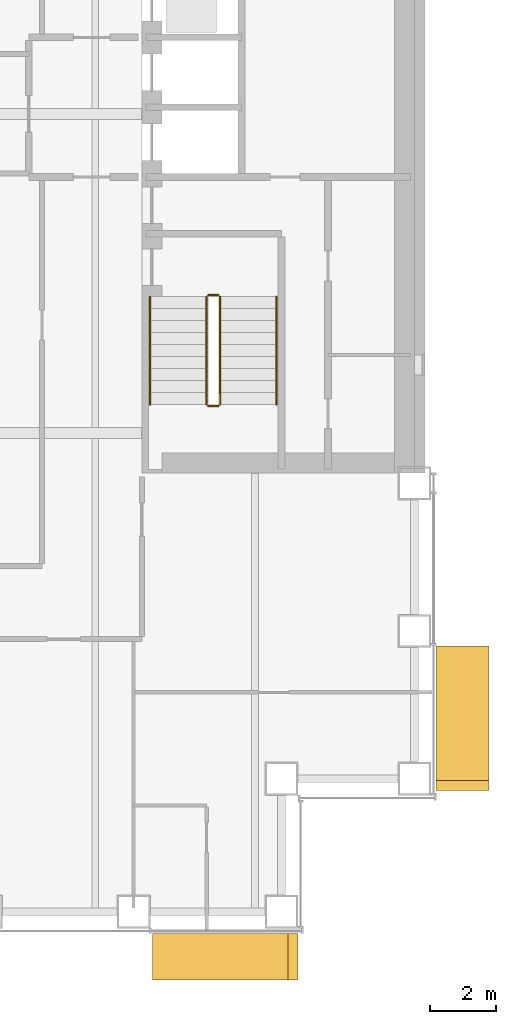
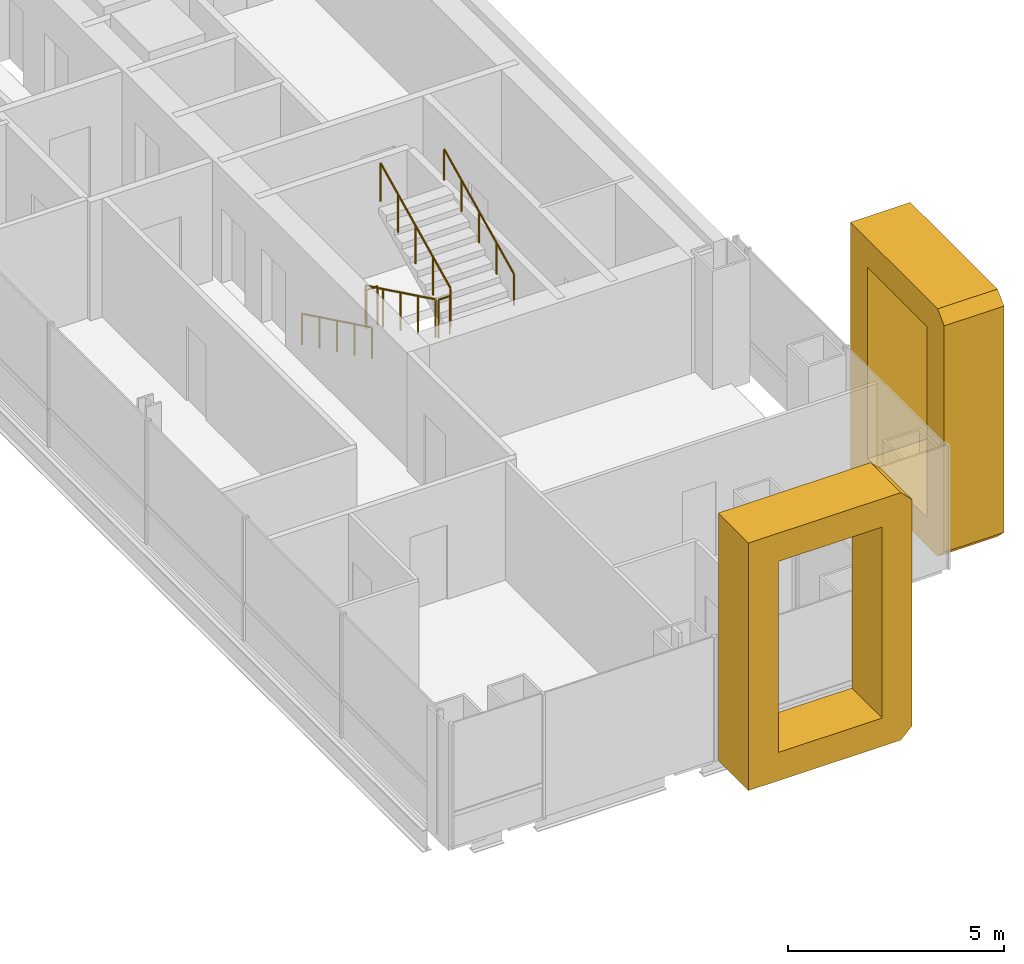
# One storey, part 19 of 21: 6 railings, 2 coverings.
"""IFC4 building model written with IfcOpenShell, lengths in metres."""

from ifc_helpers import new_model, si_unit, direction, frame, origin, origin_2d, place, context, subcontext, project, spatial, polyline, circle, outline, extrude, material, type_object, element, save


model = new_model("IFC4")

# Units and contexts
model_context = context("Model", 3, precision=1e-05, world=origin(), true_north=direction((0.0, 1.0)))
body_context = subcontext(model_context, "Body", "Model", "MODEL_VIEW")
ifc_project = project(units=[si_unit("LENGTHUNIT", "METRE"), si_unit("AREAUNIT", "SQUARE_METRE"), si_unit("VOLUMEUNIT", "CUBIC_METRE"), si_unit("PLANEANGLEUNIT", "RADIAN"), si_unit("MASSUNIT", "GRAM", prefix="KILO")], contexts=[model_context])

# Site, building, storey
site_placement = place(None, origin())
site = spatial("IfcSite", under=ifc_project, at=site_placement, CompositionType="ELEMENT")
building_placement = place(site_placement, origin())
building = spatial("IfcBuilding", under=site, at=building_placement, Name="Cobrizo Arcos Hotel Tower", CompositionType="ELEMENT")
storey_placement = place(building_placement, frame((0.0, 0.0, 74.0)))
storey = spatial("IfcBuildingStorey", under=building, at=storey_placement, Name="L17", CompositionType="ELEMENT", Elevation=74.0)

# Coverings
ifc_material_1 = material(Name="Aluminium 6063-T6 anodised bronze", Category="aluminium")
covering_type_1 = type_object("IfcCoveringType", Name="FIN-F 1400", PredefinedType="CLADDING", material=ifc_material_1)
covering_1_placement = place(storey_placement, frame((16.125, -24.64990234375, 0.0), z_axis=(0.0, -1.0, 0.0), x_axis=(1.0, 0.0, 0.0)))
element("IfcCovering", 1, at=covering_1_placement, inside=storey, type_object=covering_type_1, Name="Fin frame 60", PredefinedType="CLADDING", context=body_context, shape_type="SweptSolid", body=[
    extrude(outline(polyline([(0.0, 7.0), (0.0, 0.0), (4.074951171875, 0.0), (4.375, 0.300048828125), (4.375, 6.699951171875), (4.074951171875, 7.0), (0.0, 7.0)]), holes=[polyline([(3.574951171875, 0.800048828125), (0.800048828125, 0.800048828125), (0.800048828125, 6.199951171875), (3.574951171875, 6.199951171875), (3.574951171875, 0.800048828125)])]), origin(), (0.0, 0.0, 1.0), 1.400146484375),
])
covering_type_2 = type_object("IfcCoveringType", Name="FIN-F 1600", PredefinedType="CLADDING", material=ifc_material_1)
covering_2_placement = place(storey_placement, frame((24.64990234375, -20.35009765625, 0.0), z_axis=(1.0, 0.0, 0.0), x_axis=(0.0, 1.0, 0.0)))
element("IfcCovering", 2, at=covering_2_placement, inside=storey, type_object=covering_type_2, Name="Fin frame 39", PredefinedType="CLADDING", context=body_context, shape_type="SweptSolid", body=[
    extrude(outline(polyline([(0.0, 0.300048828125), (0.300048828125, 0.0), (4.341796875, 0.0), (4.341796875, 7.0), (0.300048828125, 7.0), (0.0, 6.699951171875), (0.0, 0.300048828125)]), holes=[polyline([(3.541748046875, 0.800048828125), (0.800048828125, 0.800048828125), (0.800048828125, 6.199951171875), (3.541748046875, 6.199951171875), (3.541748046875, 0.800048828125)])]), origin(), (0.0, 0.0, 1.0), 1.60009765625),
])

# Railings
ifc_material_2 = material(Name="Stainless steel railing", Category="steel")
railing_type_1 = type_object("IfcRailingType", Name="Stair guard 1100", PredefinedType="GUARDRAIL", material=ifc_material_2)
railing_1_placement = place(storey_placement, frame((17.75, -5.5, 0.175048828125)))
element("IfcRailing", 3, at=railing_1_placement, inside=storey, type_object=railing_type_1, Name="L17 ST-E stair guard 1", PredefinedType="GUARDRAIL", context=body_context, shape_type="SweptSolid", body=[
    extrude(circle(Radius=0.02392578125, at=origin_2d()), frame((0.0, 0.0, 1.076171875), z_axis=(0.0, -0.899372665325, 0.437182809435), x_axis=(1.0, 0.0, 0.0)), (0.0, 0.0, 1.0), 3.6025390625),
    extrude(circle(Radius=0.02099609375, at=origin_2d()), origin(), (0.0, 0.0, 1.0), 1.052001953125),
    extrude(circle(Radius=0.02099609375, at=origin_2d()), frame((0.0, -0.81005859375, 0.393798828125)), (0.0, 0.0, 1.0), 1.052001953125),
    extrude(circle(Radius=0.02099609375, at=origin_2d()), frame((0.0, -1.6201171875, 0.78759765625)), (0.0, 0.0, 1.0), 1.052001953125),
    extrude(circle(Radius=0.02099609375, at=origin_2d()), frame((0.0, -2.429931640625, 1.18115234375)), (0.0, 0.0, 1.0), 1.052001953125),
    extrude(circle(Radius=0.02099609375, at=origin_2d()), frame((0.0, -3.239990234375, 1.574951171875)), (0.0, 0.0, 1.0), 1.052001953125),
])
railing_2_placement = place(storey_placement, frame((17.800048828125, -8.7900390625, 1.75)))
element("IfcRailing", 4, at=railing_2_placement, inside=storey, type_object=railing_type_1, Name="L17 ST-E stair guard 2", PredefinedType="GUARDRAIL", context=body_context, shape_type="SweptSolid", body=[
    extrude(circle(Radius=0.02392578125, at=origin_2d()), frame((0.0, 0.0, 1.076171875), z_axis=(1.0, 0.0, 0.0), x_axis=(0.0, 1.0, 0.0)), (0.0, 0.0, 1.0), 0.300048828125),
    extrude(circle(Radius=0.02099609375, at=origin_2d()), origin(), (0.0, 0.0, 1.0), 1.052001953125),
    extrude(circle(Radius=0.02099609375, at=origin_2d()), frame((0.300048828125, 0.0, 0.0)), (0.0, 0.0, 1.0), 1.052001953125),
])
railing_3_placement = place(storey_placement, frame((18.14990234375, -8.739990234375, 1.925048828125)))
element("IfcRailing", 5, at=railing_3_placement, inside=storey, type_object=railing_type_1, Name="L17 ST-E stair guard 3", PredefinedType="GUARDRAIL", context=body_context, shape_type="SweptSolid", body=[
    extrude(circle(Radius=0.02392578125, at=origin_2d()), frame((0.0, 0.0, 1.076171875), z_axis=(0.0, 0.899372665325, 0.437182809435), x_axis=(-1.0, 0.0, 0.0)), (0.0, 0.0, 1.0), 3.6025390625),
    extrude(circle(Radius=0.02099609375, at=origin_2d()), origin(), (0.0, 0.0, 1.0), 1.052001953125),
    extrude(circle(Radius=0.02099609375, at=origin_2d()), frame((0.0, 0.81005859375, 0.393798828125)), (0.0, 0.0, 1.0), 1.052001953125),
    extrude(circle(Radius=0.02099609375, at=origin_2d()), frame((0.0, 1.6201171875, 0.78759765625)), (0.0, 0.0, 1.0), 1.052001953125),
    extrude(circle(Radius=0.02099609375, at=origin_2d()), frame((0.0, 2.429931640625, 1.18115234375)), (0.0, 0.0, 1.0), 1.052001953125),
    extrude(circle(Radius=0.02099609375, at=origin_2d()), frame((0.0, 3.239990234375, 1.574951171875)), (0.0, 0.0, 1.0), 1.052001953125),
])
railing_4_placement = place(storey_placement, frame((17.800048828125, -5.449951171875, 0.0)))
element("IfcRailing", 6, at=railing_4_placement, inside=storey, type_object=railing_type_1, Name="L17 ST-E stair guard 4", PredefinedType="GUARDRAIL", context=body_context, shape_type="SweptSolid", body=[
    extrude(circle(Radius=0.02392578125, at=origin_2d()), frame((0.0, 0.0, 1.076171875), z_axis=(1.0, 0.0, 0.0), x_axis=(0.0, 1.0, 0.0)), (0.0, 0.0, 1.0), 0.300048828125),
    extrude(circle(Radius=0.02099609375, at=origin_2d()), origin(), (0.0, 0.0, 1.0), 1.052001953125),
    extrude(circle(Radius=0.02099609375, at=origin_2d()), frame((0.300048828125, 0.0, 0.0)), (0.0, 0.0, 1.0), 1.052001953125),
])
railing_type_2 = type_object("IfcRailingType", Name="Stair handrail", PredefinedType="HANDRAIL", material=ifc_material_2)
railing_5_placement = place(storey_placement, frame((16.050048828125, -5.5, 0.175048828125)))
element("IfcRailing", 7, at=railing_5_placement, inside=storey, type_object=railing_type_2, Name="L17 ST-E stair handrail 1", PredefinedType="HANDRAIL", context=body_context, shape_type="SweptSolid", body=[
    extrude(circle(Radius=0.02392578125, at=origin_2d()), frame((0.0, 0.0, 0.8759765625), z_axis=(0.0, -0.899372665325, 0.437182809435), x_axis=(1.0, 0.0, 0.0)), (0.0, 0.0, 1.0), 3.6025390625),
    extrude(circle(Radius=0.02099609375, at=origin_2d()), origin(), (0.0, 0.0, 1.0), 0.851806640625),
    extrude(circle(Radius=0.02099609375, at=origin_2d()), frame((0.0, -0.81005859375, 0.393798828125)), (0.0, 0.0, 1.0), 0.851806640625),
    extrude(circle(Radius=0.02099609375, at=origin_2d()), frame((0.0, -1.6201171875, 0.78759765625)), (0.0, 0.0, 1.0), 0.851806640625),
    extrude(circle(Radius=0.02099609375, at=origin_2d()), frame((0.0, -2.429931640625, 1.18115234375)), (0.0, 0.0, 1.0), 0.851806640625),
    extrude(circle(Radius=0.02099609375, at=origin_2d()), frame((0.0, -3.239990234375, 1.574951171875)), (0.0, 0.0, 1.0), 0.851806640625),
])
railing_6_placement = place(storey_placement, frame((19.85009765625, -8.739990234375, 1.925048828125)))
element("IfcRailing", 8, at=railing_6_placement, inside=storey, type_object=railing_type_2, Name="L17 ST-E stair handrail 2", PredefinedType="HANDRAIL", context=body_context, shape_type="SweptSolid", body=[
    extrude(circle(Radius=0.02392578125, at=origin_2d()), frame((0.0, 0.0, 0.8759765625), z_axis=(0.0, 0.899372665325, 0.437182809435), x_axis=(-1.0, 0.0, 0.0)), (0.0, 0.0, 1.0), 3.6025390625),
    extrude(circle(Radius=0.02099609375, at=origin_2d()), origin(), (0.0, 0.0, 1.0), 0.851806640625),
    extrude(circle(Radius=0.02099609375, at=origin_2d()), frame((0.0, 0.81005859375, 0.393798828125)), (0.0, 0.0, 1.0), 0.851806640625),
    extrude(circle(Radius=0.02099609375, at=origin_2d()), frame((0.0, 1.6201171875, 0.78759765625)), (0.0, 0.0, 1.0), 0.851806640625),
    extrude(circle(Radius=0.02099609375, at=origin_2d()), frame((0.0, 2.429931640625, 1.18115234375)), (0.0, 0.0, 1.0), 0.851806640625),
    extrude(circle(Radius=0.02099609375, at=origin_2d()), frame((0.0, 3.239990234375, 1.574951171875)), (0.0, 0.0, 1.0), 0.851806640625),
])

save(model, "model.ifc")
